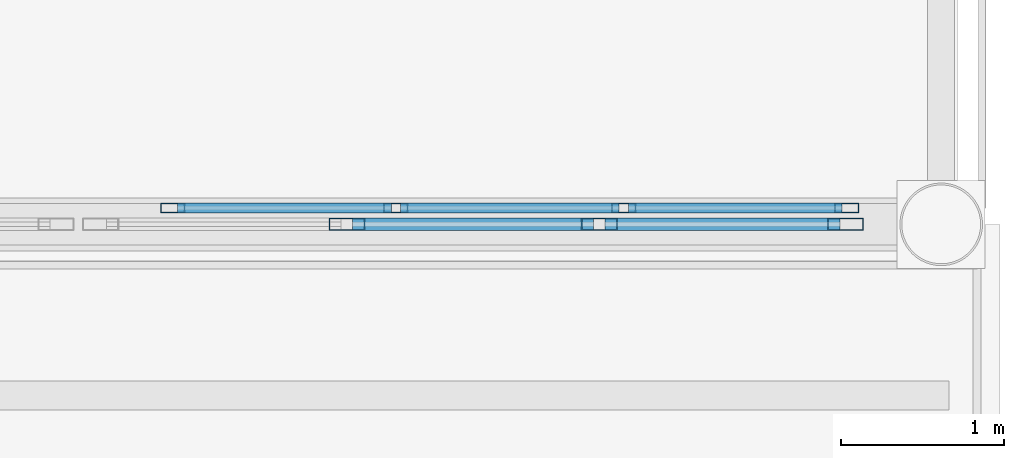
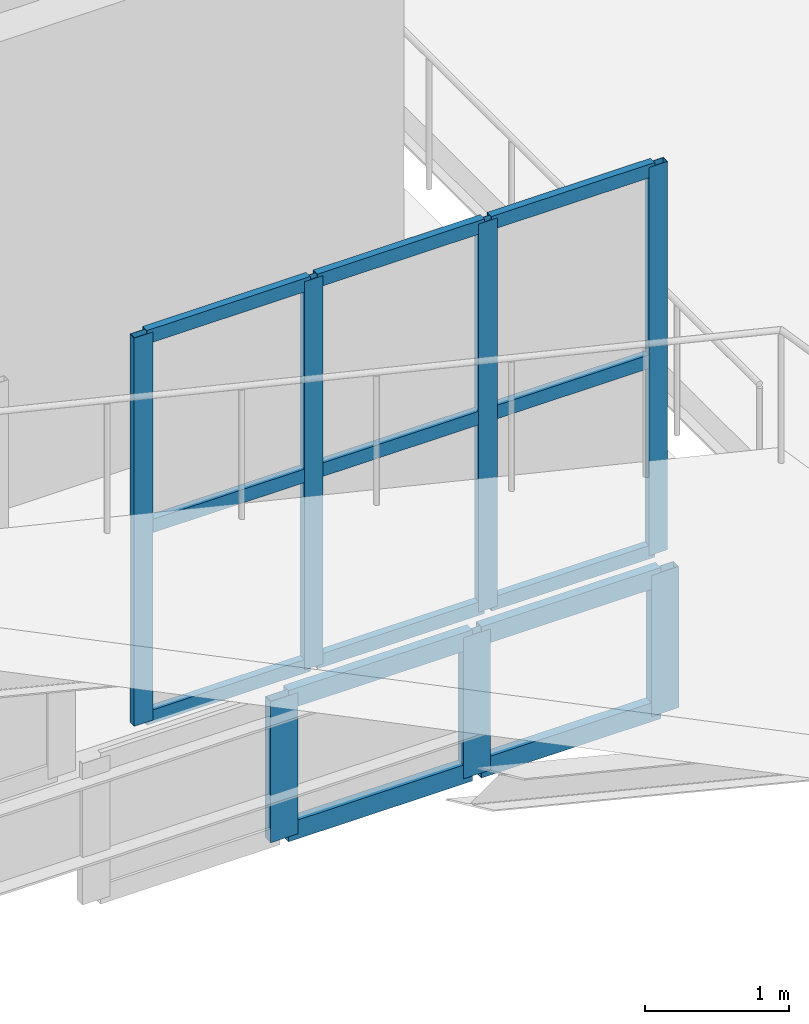
# One storey, part 75 of 120: 20 members, 2 elements without a shape of their own.
"""IFC4 building model written with IfcOpenShell, lengths in metres."""

import ifcopenshell
import ifcopenshell.guid

model = None  # the IFC model being written
_history = None  # IfcOwnerHistory: only IFC2X3 demands one
_inside = {}  # id of a spatial element -> (the spatial element, [elements in it])
_under = {}  # id of a project, library or spatial element -> (it, [spatial elements below it])
_declared = {}  # id of a project -> (the project, [libraries it declares])
_typed = {}  # id of a type object -> (the type object, [elements of that type])
_made_of = {}  # id of a material, layer set ... -> (it, [elements and type objects made of it])


def new_model(schema):
    """Start an empty IFC model of exactly this schema.

    Asked for "IFC4X3", IfcOpenShell would pick the latest addendum, in which some entities
    have other attributes; the version numbers below select the first issue.
    IFC2X3 requires an IfcOwnerHistory on every rooted entity: one is made here for all.
    """
    global model, _history
    if schema == "IFC4X3":
        model = ifcopenshell.file(schema_version=(4, 3, 0, 0))
    else:
        model = ifcopenshell.file(schema=schema)
    _inside.clear()
    _under.clear()
    _declared.clear()
    _typed.clear()
    _made_of.clear()
    _history = None
    if model.schema == "IFC2X3":
        org = make("IfcOrganization", Name="unknown")
        user = make(
            "IfcPersonAndOrganization",
            ThePerson=make("IfcPerson", FamilyName="unknown"),
            TheOrganization=org,
        )
        app = make(
            "IfcApplication",
            ApplicationDeveloper=org,
            Version="unknown",
            ApplicationFullName="unknown",
            ApplicationIdentifier="unknown",
        )
        _history = make(
            "IfcOwnerHistory",
            OwningUser=user,
            OwningApplication=app,
            ChangeAction="ADDED",
            CreationDate=0,
        )
    return model


def make(cls, **values):
    """One entity of the class cls with the attributes given. An attribute that is None is left unset."""
    return model.create_entity(
        cls, **{name: value for name, value in values.items() if value is not None}
    )


def rooted(cls, **values):
    """An entity with a GlobalId (a new one), such as an element, a storey or a relation."""
    return make(cls, GlobalId=ifcopenshell.guid.new(), OwnerHistory=_history, **values)


def si_unit(unit_type, name, prefix=None):
    """IfcSIUnit, for example si_unit("LENGTHUNIT", "METRE", prefix="MILLI")."""
    return make("IfcSIUnit", UnitType=unit_type, Prefix=prefix, Name=name)


def assignment(units):
    """IfcUnitAssignment: the units of a project."""
    return None if units is None else make("IfcUnitAssignment", Units=units)


def point(xyz):
    """IfcCartesianPoint."""
    return None if xyz is None else make("IfcCartesianPoint", Coordinates=xyz)


def direction(xyz):
    """IfcDirection."""
    return None if xyz is None else make("IfcDirection", DirectionRatios=xyz)


def frame(location, z_axis=None, x_axis=None):
    """IfcAxis2Placement3D, a coordinate frame: its origin and axes. An axis left out is left unset."""
    return make(
        "IfcAxis2Placement3D",
        Location=point(location),
        Axis=direction(z_axis),
        RefDirection=direction(x_axis),
    )


def frame_2d(location, x_axis=None):
    """IfcAxis2Placement2D, a coordinate frame in the plane: its origin and x axis."""
    return make(
        "IfcAxis2Placement2D", Location=point(location), RefDirection=direction(x_axis)
    )


def origin():
    """The frame at (0, 0, 0) with its axes left unset."""
    return frame((0.0, 0.0, 0.0))


def origin_2d():
    """The frame at (0, 0) in the plane with its x axis left unset."""
    return frame_2d((0.0, 0.0))


def place(relative_to, where):
    """IfcLocalPlacement: puts the frame where relative to a parent placement (None: the world)."""
    return make(
        "IfcLocalPlacement", PlacementRelTo=relative_to, RelativePlacement=where
    )


def context(
    kind, dimensions, precision=None, world=None, true_north=None, identifier=None
):
    """IfcGeometricRepresentationContext, for example the 3D "Model" context."""
    return make(
        "IfcGeometricRepresentationContext",
        ContextIdentifier=identifier,
        ContextType=kind,
        CoordinateSpaceDimension=dimensions,
        Precision=precision,
        WorldCoordinateSystem=world,
        TrueNorth=true_north,
    )


def subcontext(parent, identifier, kind, view, scale=None):
    """IfcGeometricRepresentationSubContext, for example "Body" below "Model"."""
    return make(
        "IfcGeometricRepresentationSubContext",
        ContextIdentifier=identifier,
        ContextType=kind,
        ParentContext=parent,
        TargetScale=scale,
        TargetView=view,
    )


def project(units=None, contexts=None):
    """IfcProject with its units and contexts."""
    return rooted(
        "IfcProject",
        Name="project",
        RepresentationContexts=contexts,
        UnitsInContext=assignment(units),
    )


def spatial(cls, under=None, at=None, **own):
    """A site, building, storey or space (cls), placed at a placement, below another one or the project."""
    s = rooted(cls, ObjectPlacement=at, **own)
    if under is not None:
        _under.setdefault(under.id(), (under, []))[1].append(s)
    return s


def profile(cls, at=None, kind="AREA", **sizes):
    """A parametric profile (cls). Its sizes go by their IFC names, for example OverallWidth=200.0."""
    return make(cls, ProfileType=kind, Position=at, **sizes)


def hollow_rectangle(**sizes):
    """IfcRectangleHollowProfileDef."""
    return profile("IfcRectangleHollowProfileDef", **sizes)


def extrude(swept, where, along, depth):
    """IfcExtrudedAreaSolid: the profile swept, set in the frame where, extruded along a direction by depth."""
    return make(
        "IfcExtrudedAreaSolid",
        SweptArea=swept,
        Position=where,
        ExtrudedDirection=direction(along),
        Depth=depth,
    )


def shape(context_of_items, identifier, shape_type, items):
    """IfcShapeRepresentation: the items that make up one representation, for example the "Body"."""
    return make(
        "IfcShapeRepresentation",
        ContextOfItems=context_of_items,
        RepresentationIdentifier=identifier,
        RepresentationType=shape_type,
        Items=items,
    )


def material(Name=None, Category=None):
    """IfcMaterial."""
    return make("IfcMaterial", Name=Name, Category=Category)


def material_profile(
    of_material, cross_section, Name=None, Category=None, Priority=None
):
    """IfcMaterialProfile: a cross section and its material."""
    return make(
        "IfcMaterialProfile",
        Name=Name,
        Material=of_material,
        Profile=cross_section,
        Priority=Priority,
        Category=Category,
    )


def profile_set(profiles, Name=None, composite=None):
    """IfcMaterialProfileSet."""
    return make(
        "IfcMaterialProfileSet",
        Name=Name,
        MaterialProfiles=profiles,
        CompositeProfile=composite,
    )


def made_of(thing, what):
    """Note that an element or type object is made of a material, layer set ...; save() writes the relation."""
    if what is not None:
        _made_of.setdefault(what.id(), (what, []))[1].append(thing)
    return thing


def type_object(cls, material=None, **own):
    """A type object (cls), such as IfcWallType, which elements share."""
    return made_of(rooted(cls, **own), material)


def element(
    cls,
    number,
    at=None,
    inside=None,
    cuts=None,
    type_object=None,
    material=None,
    context=None,
    identifier="Body",
    shape_type=None,
    held_by="IfcProductDefinitionShape",
    body=None,
    shapes=None,
    **own,
):
    """One element of the class cls, such as IfcWall. Its Tag is "e" and its number.

    at: its placement. inside: the storey or other place that contains it. cuts: it is an
    opening in that element (IfcRelVoidsElement). A single representation is given by context,
    identifier, shape_type and body (its items); several are given by shapes. held_by: the class
    of the entity that holds the representations. save() writes the other relations.
    """
    e = rooted(cls, Tag="e%d" % number, ObjectPlacement=at, **own)
    if body is not None:
        shapes = [shape(context, identifier, shape_type, body)]
    if shapes is not None:
        e.Representation = make(held_by, Representations=shapes)
    if inside is not None:
        _inside.setdefault(inside.id(), (inside, []))[1].append(e)
    if cuts is not None:
        rooted(
            "IfcRelVoidsElement", RelatingBuildingElement=cuts, RelatedOpeningElement=e
        )
    if type_object is not None:
        _typed.setdefault(type_object.id(), (type_object, []))[1].append(e)
    return made_of(e, material)


def aggregate(whole, parts):
    """IfcRelAggregates: a whole, such as a stair, and the parts it consists of."""
    return rooted("IfcRelAggregates", RelatingObject=whole, RelatedObjects=parts)


def save(model, path):
    """Write the relations noted so far, then the file.

    IfcRelAggregates (storeys below a building ...), IfcRelContainedInSpatialStructure (elements
    in a storey), IfcRelDefinesByType, IfcRelAssociatesMaterial and IfcRelDeclares: one each for
    every whole, place, type object, material and project.
    """
    for whole, parts in _under.values():
        aggregate(whole, parts)
    for where, things in _inside.values():
        rooted(
            "IfcRelContainedInSpatialStructure",
            RelatedElements=things,
            RelatingStructure=where,
        )
    for kind, things in _typed.values():
        rooted("IfcRelDefinesByType", RelatedObjects=things, RelatingType=kind)
    for what, things in _made_of.values():
        rooted("IfcRelAssociatesMaterial", RelatedObjects=things, RelatingMaterial=what)
    for by, libraries in _declared.values():
        rooted("IfcRelDeclares", RelatingContext=by, RelatedDefinitions=libraries)
    model.write(path)


model = new_model("IFC4")

# Units and contexts
model_context = context("Model", 3, precision=1e-05, world=origin(), true_north=direction((0.0, 1.0)))
body_context = subcontext(model_context, "Body", "Model", "MODEL_VIEW")
ifc_project = project(units=[si_unit("LENGTHUNIT", "METRE"), si_unit("AREAUNIT", "SQUARE_METRE"), si_unit("VOLUMEUNIT", "CUBIC_METRE"), si_unit("PLANEANGLEUNIT", "RADIAN"), si_unit("MASSUNIT", "GRAM", prefix="KILO")], contexts=[model_context])

# Site, building, storey
site_placement = place(None, origin())
site = spatial("IfcSite", under=ifc_project, at=site_placement, CompositionType="ELEMENT")
building_placement = place(site_placement, origin())
building = spatial("IfcBuilding", under=site, at=building_placement, Name="Caurita Quay Ferry Terminal", CompositionType="ELEMENT")
storey_placement = place(building_placement, frame((0.0, 0.0, 9.89990234375)))
storey = spatial("IfcBuildingStorey", under=building, at=storey_placement, Name="L02", CompositionType="ELEMENT", Elevation=9.89990234375)

# Curtain wall, members
ifc_material_1 = material(Name="Laminated solar-control insulated glass", Category="glass")
curtain_wall_type_1 = type_object("IfcCurtainWallType", Name="CW-SYS-14", PredefinedType="NOTDEFINED", material=ifc_material_1)
curtain_wall_1_placement = place(storey_placement, origin())
curtain_wall_1 = element("IfcCurtainWall", 1, at=curtain_wall_1_placement, inside=storey, type_object=curtain_wall_type_1, Name="Mezzanine Hall Overlook Glazing 112", PredefinedType="NOTDEFINED")
ifc_material_2 = material(Name="Anodized aluminium 6063-T6", Category="aluminium")
ifc_material_profile_1 = material_profile(ifc_material_2, hollow_rectangle(XDim=0.06005859375, YDim=0.14990234375, WallThickness=0.00341796875, at=origin_2d()), Name="ALU-MUL-60X150")
ifc_profile_set_1 = profile_set([ifc_material_profile_1], Name="Anodized aluminium 6063-T6")
member_type_1 = type_object("IfcMemberType", Name="CW-MUL-150", PredefinedType="MULLION", material=ifc_profile_set_1)
member_1_placement = place(storey_placement, frame((127.080078125, 62.800048828125, 0.0), z_axis=(0.0, 0.0, 1.0), x_axis=(0.0, 1.0, 0.0)))
member_1 = element("IfcMember", 2, at=member_1_placement, type_object=member_type_1, Name="CW-MZL-112 Mullion 1", PredefinedType="MULLION", context=body_context, shape_type="SweptSolid", body=[
    extrude(hollow_rectangle(XDim=0.06005859375, YDim=0.14990234375, WallThickness=0.00341796875, at=origin_2d()), origin(), (0.0, 0.0, 1.0), 3.300048828125),
])
member_2_placement = place(storey_placement, frame((128.449951171875, 62.800048828125, 0.0), z_axis=(0.0, 0.0, 1.0), x_axis=(0.0, 1.0, 0.0)))
member_2 = element("IfcMember", 3, at=member_2_placement, type_object=member_type_1, Name="CW-MZL-112 Mullion 2", PredefinedType="MULLION", context=body_context, shape_type="SweptSolid", body=[
    extrude(hollow_rectangle(XDim=0.06005859375, YDim=0.14990234375, WallThickness=0.00341796875, at=origin_2d()), origin(), (0.0, 0.0, 1.0), 3.300048828125),
])
member_3_placement = place(storey_placement, frame((129.85009765625, 62.800048828125, 0.0), z_axis=(0.0, 0.0, 1.0), x_axis=(0.0, 1.0, 0.0)))
member_3 = element("IfcMember", 4, at=member_3_placement, type_object=member_type_1, Name="CW-MZL-112 Mullion 3", PredefinedType="MULLION", context=body_context, shape_type="SweptSolid", body=[
    extrude(hollow_rectangle(XDim=0.06005859375, YDim=0.14990234375, WallThickness=0.00341796875, at=origin_2d()), origin(), (0.0, 0.0, 1.0), 3.300048828125),
])
member_4_placement = place(storey_placement, frame((131.219970703125, 62.800048828125, 0.0), z_axis=(0.0, 0.0, 1.0), x_axis=(0.0, 1.0, 0.0)))
member_4 = element("IfcMember", 5, at=member_4_placement, type_object=member_type_1, Name="CW-MZL-112 Mullion 4", PredefinedType="MULLION", context=body_context, shape_type="SweptSolid", body=[
    extrude(hollow_rectangle(XDim=0.06005859375, YDim=0.14990234375, WallThickness=0.00341796875, at=origin_2d()), origin(), (0.0, 0.0, 1.0), 3.300048828125),
])

curtain_wall_type_2 = type_object("IfcCurtainWallType", Name="CW-SYS-05", PredefinedType="NOTDEFINED", material=ifc_material_1)
curtain_wall_2_placement = place(storey_placement, origin())
curtain_wall_2 = element("IfcCurtainWall", 6, at=curtain_wall_2_placement, inside=storey, type_object=curtain_wall_type_2, Name="Folded Roof Clerestory FB-06-N4", PredefinedType="NOTDEFINED")
ifc_material_profile_2 = material_profile(ifc_material_2, hollow_rectangle(XDim=0.074951171875, YDim=0.219970703125, WallThickness=0.00390625, at=origin_2d()), Name="ALU-MUL-75X220")
ifc_profile_set_2 = profile_set([ifc_material_profile_2], Name="Anodized aluminium 6063-T6")
member_type_2 = type_object("IfcMemberType", Name="CW-MUL-220", PredefinedType="MULLION", material=ifc_profile_set_2)
member_5_placement = place(storey_placement, frame((128.14990234375, 62.699951171875, -1.286865234375), z_axis=(0.0, 0.0, 1.0), x_axis=(0.0, 1.0, 0.0)))
member_5 = element("IfcMember", 7, at=member_5_placement, type_object=member_type_2, Name="CW-CLR-048 Mullion 2", PredefinedType="MULLION", context=body_context, shape_type="SweptSolid", body=[
    extrude(hollow_rectangle(XDim=0.074951171875, YDim=0.219970703125, WallThickness=0.00390625, at=origin_2d()), origin(), (0.0, 0.0, 1.0), 1.199951171875),
])
member_6_placement = place(storey_placement, frame((129.699951171875, 62.699951171875, -1.286865234375), z_axis=(0.0, 0.0, 1.0), x_axis=(0.0, 1.0, 0.0)))
member_6 = element("IfcMember", 8, at=member_6_placement, type_object=member_type_2, Name="CW-CLR-048 Mullion 3", PredefinedType="MULLION", context=body_context, shape_type="SweptSolid", body=[
    extrude(hollow_rectangle(XDim=0.074951171875, YDim=0.219970703125, WallThickness=0.00390625, at=origin_2d()), origin(), (0.0, 0.0, 1.0), 1.199951171875),
])
member_7_placement = place(storey_placement, frame((131.21240234375, 62.699951171875, -1.286865234375), z_axis=(0.0, 0.0, 1.0), x_axis=(0.0, 1.0, 0.0)))
member_7 = element("IfcMember", 9, at=member_7_placement, type_object=member_type_2, Name="CW-CLR-048 Mullion 4", PredefinedType="MULLION", context=body_context, shape_type="SweptSolid", body=[
    extrude(hollow_rectangle(XDim=0.074951171875, YDim=0.219970703125, WallThickness=0.00390625, at=origin_2d()), origin(), (0.0, 0.0, 1.0), 1.199951171875),
])

# Member
ifc_material_profile_3 = material_profile(ifc_material_2, hollow_rectangle(XDim=0.06005859375, YDim=0.114990234375, WallThickness=0.00341796875, at=origin_2d()), Name="ALU-TRN-60X115")
ifc_profile_set_3 = profile_set([ifc_material_profile_3], Name="Anodized aluminium 6063-T6")
member_type_3 = type_object("IfcMemberType", Name="CW-TRN-115", PredefinedType="USERDEFINED", material=ifc_profile_set_3)
member_8_placement = place(storey_placement, frame((127.10791015625, 62.800048828125, 0.030029296875), z_axis=(1.0, 0.0, 0.0), x_axis=(0.0, 1.0, 0.0)))
member_8 = element("IfcMember", 10, at=member_8_placement, type_object=member_type_3, Name="CW-MZL-112 Transom 1", ObjectType="TRANSOM", PredefinedType="USERDEFINED", context=body_context, shape_type="SweptSolid", body=[
    extrude(hollow_rectangle(XDim=0.06005859375, YDim=0.114990234375, WallThickness=0.00341796875, at=origin_2d()), origin(), (0.0, 0.0, 1.0), 1.314208984375),
])

member_9_placement = place(storey_placement, frame((127.10791015625, 62.800048828125, 1.650146484375), z_axis=(1.0, 0.0, 0.0), x_axis=(0.0, 1.0, 0.0)))
member_9 = element("IfcMember", 11, at=member_9_placement, type_object=member_type_3, Name="CW-MZL-112 Transom 2", ObjectType="TRANSOM", PredefinedType="USERDEFINED", context=body_context, shape_type="SweptSolid", body=[
    extrude(hollow_rectangle(XDim=0.06005859375, YDim=0.114990234375, WallThickness=0.00341796875, at=origin_2d()), origin(), (0.0, 0.0, 1.0), 1.314208984375),
])

member_10_placement = place(storey_placement, frame((127.10791015625, 62.800048828125, 3.27001953125), z_axis=(1.0, 0.0, 0.0), x_axis=(0.0, 1.0, 0.0)))
member_10 = element("IfcMember", 12, at=member_10_placement, type_object=member_type_3, Name="CW-MZL-112 Transom 3", ObjectType="TRANSOM", PredefinedType="USERDEFINED", context=body_context, shape_type="SweptSolid", body=[
    extrude(hollow_rectangle(XDim=0.06005859375, YDim=0.114990234375, WallThickness=0.00341796875, at=origin_2d()), origin(), (0.0, 0.0, 1.0), 1.314208984375),
])

member_11_placement = place(storey_placement, frame((128.47802734375, 62.800048828125, 0.030029296875), z_axis=(1.0, 0.0, 0.0), x_axis=(0.0, 1.0, 0.0)))
member_11 = element("IfcMember", 13, at=member_11_placement, type_object=member_type_3, Name="CW-MZL-112 Transom 4", ObjectType="TRANSOM", PredefinedType="USERDEFINED", context=body_context, shape_type="SweptSolid", body=[
    extrude(hollow_rectangle(XDim=0.06005859375, YDim=0.114990234375, WallThickness=0.00341796875, at=origin_2d()), origin(), (0.0, 0.0, 1.0), 1.343994140625),
])

member_12_placement = place(storey_placement, frame((128.47802734375, 62.800048828125, 1.650146484375), z_axis=(1.0, 0.0, 0.0), x_axis=(0.0, 1.0, 0.0)))
member_12 = element("IfcMember", 14, at=member_12_placement, type_object=member_type_3, Name="CW-MZL-112 Transom 5", ObjectType="TRANSOM", PredefinedType="USERDEFINED", context=body_context, shape_type="SweptSolid", body=[
    extrude(hollow_rectangle(XDim=0.06005859375, YDim=0.114990234375, WallThickness=0.00341796875, at=origin_2d()), origin(), (0.0, 0.0, 1.0), 1.343994140625),
])

member_13_placement = place(storey_placement, frame((128.47802734375, 62.800048828125, 3.27001953125), z_axis=(1.0, 0.0, 0.0), x_axis=(0.0, 1.0, 0.0)))
member_13 = element("IfcMember", 15, at=member_13_placement, type_object=member_type_3, Name="CW-MZL-112 Transom 6", ObjectType="TRANSOM", PredefinedType="USERDEFINED", context=body_context, shape_type="SweptSolid", body=[
    extrude(hollow_rectangle(XDim=0.06005859375, YDim=0.114990234375, WallThickness=0.00341796875, at=origin_2d()), origin(), (0.0, 0.0, 1.0), 1.343994140625),
])

member_14_placement = place(storey_placement, frame((129.8779296875, 62.800048828125, 0.030029296875), z_axis=(1.0, 0.0, 0.0), x_axis=(0.0, 1.0, 0.0)))
member_14 = element("IfcMember", 16, at=member_14_placement, type_object=member_type_3, Name="CW-MZL-112 Transom 7", ObjectType="TRANSOM", PredefinedType="USERDEFINED", context=body_context, shape_type="SweptSolid", body=[
    extrude(hollow_rectangle(XDim=0.06005859375, YDim=0.114990234375, WallThickness=0.00341796875, at=origin_2d()), origin(), (0.0, 0.0, 1.0), 1.31396484375),
])

member_15_placement = place(storey_placement, frame((129.8779296875, 62.800048828125, 1.650146484375), z_axis=(1.0, 0.0, 0.0), x_axis=(0.0, 1.0, 0.0)))
member_15 = element("IfcMember", 17, at=member_15_placement, type_object=member_type_3, Name="CW-MZL-112 Transom 8", ObjectType="TRANSOM", PredefinedType="USERDEFINED", context=body_context, shape_type="SweptSolid", body=[
    extrude(hollow_rectangle(XDim=0.06005859375, YDim=0.114990234375, WallThickness=0.00341796875, at=origin_2d()), origin(), (0.0, 0.0, 1.0), 1.31396484375),
])

member_16_placement = place(storey_placement, frame((129.8779296875, 62.800048828125, 3.27001953125), z_axis=(1.0, 0.0, 0.0), x_axis=(0.0, 1.0, 0.0)))
member_16 = element("IfcMember", 18, at=member_16_placement, type_object=member_type_3, Name="CW-MZL-112 Transom 9", ObjectType="TRANSOM", PredefinedType="USERDEFINED", context=body_context, shape_type="SweptSolid", body=[
    extrude(hollow_rectangle(XDim=0.06005859375, YDim=0.114990234375, WallThickness=0.00341796875, at=origin_2d()), origin(), (0.0, 0.0, 1.0), 1.31396484375),
])

aggregate(curtain_wall_1, [member_1, member_2, member_3, member_4, member_8, member_9, member_10, member_11, member_12, member_13, member_14, member_15, member_16])

ifc_material_profile_4 = material_profile(ifc_material_2, hollow_rectangle(XDim=0.074951171875, YDim=0.159912109375, WallThickness=0.00390625, at=origin_2d()), Name="ALU-TRN-75X160")
ifc_profile_set_4 = profile_set([ifc_material_profile_4], Name="Anodized aluminium 6063-T6")
member_type_4 = type_object("IfcMemberType", Name="CW-TRN-160", PredefinedType="USERDEFINED", material=ifc_profile_set_4)
member_17_placement = place(storey_placement, frame((128.185546875, 62.699951171875, -1.24951171875), z_axis=(1.0, 0.0, 0.0), x_axis=(0.0, 1.0, 0.0)))
member_17 = element("IfcMember", 19, at=member_17_placement, type_object=member_type_4, Name="CW-CLR-048 Transom 3", ObjectType="TRANSOM", PredefinedType="USERDEFINED", context=body_context, shape_type="SweptSolid", body=[
    extrude(hollow_rectangle(XDim=0.074951171875, YDim=0.159912109375, WallThickness=0.00390625, at=origin_2d()), origin(), (0.0, 0.0, 1.0), 1.47900390625),
])

member_18_placement = place(storey_placement, frame((128.185546875, 62.699951171875, -0.12451171875), z_axis=(1.0, 0.0, 0.0), x_axis=(0.0, 1.0, 0.0)))
member_18 = element("IfcMember", 20, at=member_18_placement, type_object=member_type_4, Name="CW-CLR-048 Transom 4", ObjectType="TRANSOM", PredefinedType="USERDEFINED", context=body_context, shape_type="SweptSolid", body=[
    extrude(hollow_rectangle(XDim=0.074951171875, YDim=0.159912109375, WallThickness=0.00390625, at=origin_2d()), origin(), (0.0, 0.0, 1.0), 1.47900390625),
])

member_19_placement = place(storey_placement, frame((129.735595703125, 62.699951171875, -1.24951171875), z_axis=(1.0, 0.0, 0.0), x_axis=(0.0, 1.0, 0.0)))
member_19 = element("IfcMember", 21, at=member_19_placement, type_object=member_type_4, Name="CW-CLR-048 Transom 5", ObjectType="TRANSOM", PredefinedType="USERDEFINED", context=body_context, shape_type="SweptSolid", body=[
    extrude(hollow_rectangle(XDim=0.074951171875, YDim=0.159912109375, WallThickness=0.00390625, at=origin_2d()), origin(), (0.0, 0.0, 1.0), 1.44140625),
])

member_20_placement = place(storey_placement, frame((129.735595703125, 62.699951171875, -0.12451171875), z_axis=(1.0, 0.0, 0.0), x_axis=(0.0, 1.0, 0.0)))
member_20 = element("IfcMember", 22, at=member_20_placement, type_object=member_type_4, Name="CW-CLR-048 Transom 6", ObjectType="TRANSOM", PredefinedType="USERDEFINED", context=body_context, shape_type="SweptSolid", body=[
    extrude(hollow_rectangle(XDim=0.074951171875, YDim=0.159912109375, WallThickness=0.00390625, at=origin_2d()), origin(), (0.0, 0.0, 1.0), 1.44140625),
])

aggregate(curtain_wall_2, [member_5, member_6, member_7, member_17, member_18, member_19, member_20])

save(model, "model.ifc")
